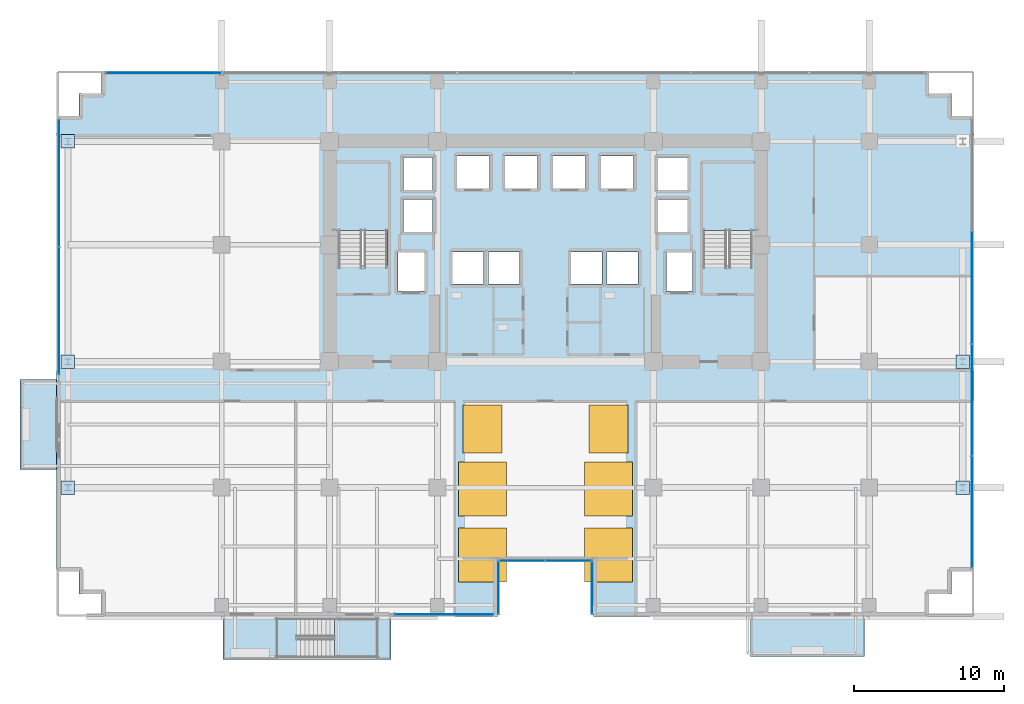
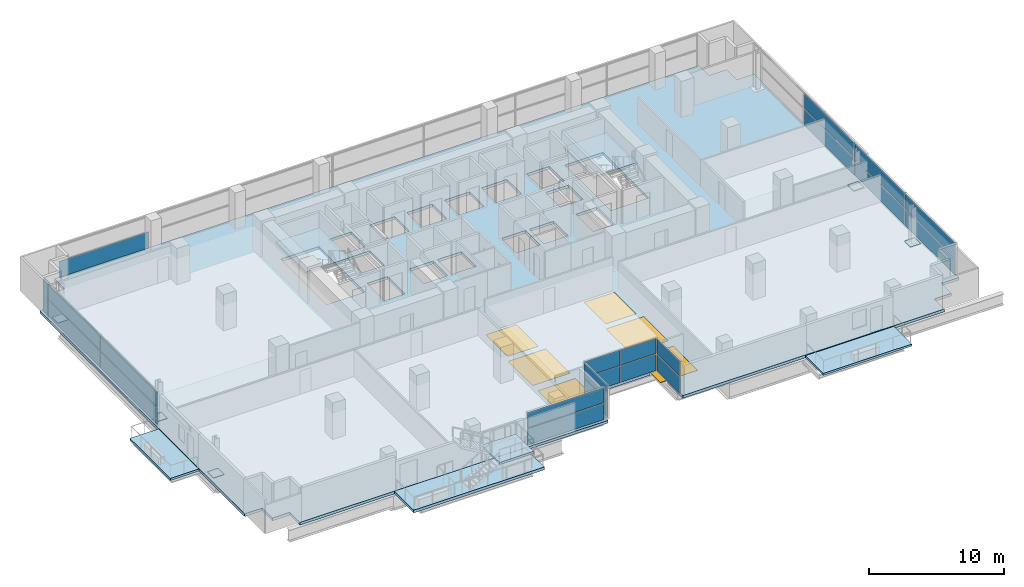
# One storey, part 23 of 32: 26 plates, 7 slabs, 6 windows, 6 openings, 10 elements without a shape of their own.
"""IFC4 building model written with IfcOpenShell, lengths in metres."""

import ifcopenshell
import ifcopenshell.guid

model = None  # the IFC model being written
_history = None  # IfcOwnerHistory: only IFC2X3 demands one
_inside = {}  # id of a spatial element -> (the spatial element, [elements in it])
_under = {}  # id of a project, library or spatial element -> (it, [spatial elements below it])
_declared = {}  # id of a project -> (the project, [libraries it declares])
_typed = {}  # id of a type object -> (the type object, [elements of that type])
_made_of = {}  # id of a material, layer set ... -> (it, [elements and type objects made of it])


def new_model(schema):
    """Start an empty IFC model of exactly this schema.

    Asked for "IFC4X3", IfcOpenShell would pick the latest addendum, in which some entities
    have other attributes; the version numbers below select the first issue.
    IFC2X3 requires an IfcOwnerHistory on every rooted entity: one is made here for all.
    """
    global model, _history
    if schema == "IFC4X3":
        model = ifcopenshell.file(schema_version=(4, 3, 0, 0))
    else:
        model = ifcopenshell.file(schema=schema)
    _inside.clear()
    _under.clear()
    _declared.clear()
    _typed.clear()
    _made_of.clear()
    _history = None
    if model.schema == "IFC2X3":
        org = make("IfcOrganization", Name="unknown")
        user = make(
            "IfcPersonAndOrganization",
            ThePerson=make("IfcPerson", FamilyName="unknown"),
            TheOrganization=org,
        )
        app = make(
            "IfcApplication",
            ApplicationDeveloper=org,
            Version="unknown",
            ApplicationFullName="unknown",
            ApplicationIdentifier="unknown",
        )
        _history = make(
            "IfcOwnerHistory",
            OwningUser=user,
            OwningApplication=app,
            ChangeAction="ADDED",
            CreationDate=0,
        )
    return model


def make(cls, **values):
    """One entity of the class cls with the attributes given. An attribute that is None is left unset."""
    return model.create_entity(
        cls, **{name: value for name, value in values.items() if value is not None}
    )


def rooted(cls, **values):
    """An entity with a GlobalId (a new one), such as an element, a storey or a relation."""
    return make(cls, GlobalId=ifcopenshell.guid.new(), OwnerHistory=_history, **values)


def si_unit(unit_type, name, prefix=None):
    """IfcSIUnit, for example si_unit("LENGTHUNIT", "METRE", prefix="MILLI")."""
    return make("IfcSIUnit", UnitType=unit_type, Prefix=prefix, Name=name)


def assignment(units):
    """IfcUnitAssignment: the units of a project."""
    return None if units is None else make("IfcUnitAssignment", Units=units)


def point(xyz):
    """IfcCartesianPoint."""
    return None if xyz is None else make("IfcCartesianPoint", Coordinates=xyz)


def direction(xyz):
    """IfcDirection."""
    return None if xyz is None else make("IfcDirection", DirectionRatios=xyz)


def frame(location, z_axis=None, x_axis=None):
    """IfcAxis2Placement3D, a coordinate frame: its origin and axes. An axis left out is left unset."""
    return make(
        "IfcAxis2Placement3D",
        Location=point(location),
        Axis=direction(z_axis),
        RefDirection=direction(x_axis),
    )


def frame_2d(location, x_axis=None):
    """IfcAxis2Placement2D, a coordinate frame in the plane: its origin and x axis."""
    return make(
        "IfcAxis2Placement2D", Location=point(location), RefDirection=direction(x_axis)
    )


def origin():
    """The frame at (0, 0, 0) with its axes left unset."""
    return frame((0.0, 0.0, 0.0))


def origin_2d():
    """The frame at (0, 0) in the plane with its x axis left unset."""
    return frame_2d((0.0, 0.0))


def place(relative_to, where):
    """IfcLocalPlacement: puts the frame where relative to a parent placement (None: the world)."""
    return make(
        "IfcLocalPlacement", PlacementRelTo=relative_to, RelativePlacement=where
    )


def context(
    kind, dimensions, precision=None, world=None, true_north=None, identifier=None
):
    """IfcGeometricRepresentationContext, for example the 3D "Model" context."""
    return make(
        "IfcGeometricRepresentationContext",
        ContextIdentifier=identifier,
        ContextType=kind,
        CoordinateSpaceDimension=dimensions,
        Precision=precision,
        WorldCoordinateSystem=world,
        TrueNorth=true_north,
    )


def subcontext(parent, identifier, kind, view, scale=None):
    """IfcGeometricRepresentationSubContext, for example "Body" below "Model"."""
    return make(
        "IfcGeometricRepresentationSubContext",
        ContextIdentifier=identifier,
        ContextType=kind,
        ParentContext=parent,
        TargetScale=scale,
        TargetView=view,
    )


def project(units=None, contexts=None):
    """IfcProject with its units and contexts."""
    return rooted(
        "IfcProject",
        Name="project",
        RepresentationContexts=contexts,
        UnitsInContext=assignment(units),
    )


def spatial(cls, under=None, at=None, **own):
    """A site, building, storey or space (cls), placed at a placement, below another one or the project."""
    s = rooted(cls, ObjectPlacement=at, **own)
    if under is not None:
        _under.setdefault(under.id(), (under, []))[1].append(s)
    return s


def polyline(points):
    """IfcPolyline through the points."""
    return make("IfcPolyline", Points=[point(p) for p in points])


def profile(cls, at=None, kind="AREA", **sizes):
    """A parametric profile (cls). Its sizes go by their IFC names, for example OverallWidth=200.0."""
    return make(cls, ProfileType=kind, Position=at, **sizes)


def rectangle(**sizes):
    """IfcRectangleProfileDef."""
    return profile("IfcRectangleProfileDef", **sizes)


def outline(outer, holes=None, kind="AREA"):
    """IfcArbitraryClosedProfileDef: a profile drawn as a closed curve; with holes, ...WithVoids."""
    if holes is None:
        return make("IfcArbitraryClosedProfileDef", ProfileType=kind, OuterCurve=outer)
    return make(
        "IfcArbitraryProfileDefWithVoids",
        ProfileType=kind,
        OuterCurve=outer,
        InnerCurves=holes,
    )


def extrude(swept, where, along, depth):
    """IfcExtrudedAreaSolid: the profile swept, set in the frame where, extruded along a direction by depth."""
    return make(
        "IfcExtrudedAreaSolid",
        SweptArea=swept,
        Position=where,
        ExtrudedDirection=direction(along),
        Depth=depth,
    )


def shape(context_of_items, identifier, shape_type, items):
    """IfcShapeRepresentation: the items that make up one representation, for example the "Body"."""
    return make(
        "IfcShapeRepresentation",
        ContextOfItems=context_of_items,
        RepresentationIdentifier=identifier,
        RepresentationType=shape_type,
        Items=items,
    )


def source(mapping_origin, context_of_items, identifier, shape_type, items):
    """IfcRepresentationMap: a shape defined once, which mapped items show again and again."""
    return make(
        "IfcRepresentationMap",
        MappingOrigin=mapping_origin,
        MappedRepresentation=shape(context_of_items, identifier, shape_type, items),
    )


def transform(
    local_origin,
    x_axis=None,
    y_axis=None,
    z_axis=None,
    scale=None,
    scale2=None,
    scale3=None,
    uniform=True,
):
    """IfcCartesianTransformationOperator3D, or its non-uniform kind. x_axis, y_axis, z_axis: its Axis1, 2, 3."""
    if uniform:
        return make(
            "IfcCartesianTransformationOperator3D",
            Axis1=direction(x_axis),
            Axis2=direction(y_axis),
            LocalOrigin=point(local_origin),
            Scale=scale,
            Axis3=direction(z_axis),
        )
    return make(
        "IfcCartesianTransformationOperator3DnonUniform",
        Axis1=direction(x_axis),
        Axis2=direction(y_axis),
        LocalOrigin=point(local_origin),
        Scale=scale,
        Axis3=direction(z_axis),
        Scale2=scale2,
        Scale3=scale3,
    )


def mapped(mapping_source, mapping_target):
    """IfcMappedItem: shows the shape of a source again, moved by a transform."""
    return make(
        "IfcMappedItem", MappingSource=mapping_source, MappingTarget=mapping_target
    )


def material(Name=None, Category=None):
    """IfcMaterial."""
    return make("IfcMaterial", Name=Name, Category=Category)


def layer(
    of_material, thickness, ventilated=None, Name=None, Category=None, Priority=None
):
    """IfcMaterialLayer: one layer of a wall or slab, of a material (None: an air gap)."""
    return make(
        "IfcMaterialLayer",
        Material=of_material,
        LayerThickness=thickness,
        IsVentilated=ventilated,
        Name=Name,
        Category=Category,
        Priority=Priority,
    )


def layer_set(layers, Name=None):
    """IfcMaterialLayerSet."""
    return make("IfcMaterialLayerSet", MaterialLayers=layers, LayerSetName=Name)


def made_of(thing, what):
    """Note that an element or type object is made of a material, layer set ...; save() writes the relation."""
    if what is not None:
        _made_of.setdefault(what.id(), (what, []))[1].append(thing)
    return thing


def type_object(cls, material=None, **own):
    """A type object (cls), such as IfcWallType, which elements share."""
    return made_of(rooted(cls, **own), material)


def element(
    cls,
    number,
    at=None,
    inside=None,
    cuts=None,
    type_object=None,
    material=None,
    context=None,
    identifier="Body",
    shape_type=None,
    held_by="IfcProductDefinitionShape",
    body=None,
    shapes=None,
    **own,
):
    """One element of the class cls, such as IfcWall. Its Tag is "e" and its number.

    at: its placement. inside: the storey or other place that contains it. cuts: it is an
    opening in that element (IfcRelVoidsElement). A single representation is given by context,
    identifier, shape_type and body (its items); several are given by shapes. held_by: the class
    of the entity that holds the representations. save() writes the other relations.
    """
    e = rooted(cls, Tag="e%d" % number, ObjectPlacement=at, **own)
    if body is not None:
        shapes = [shape(context, identifier, shape_type, body)]
    if shapes is not None:
        e.Representation = make(held_by, Representations=shapes)
    if inside is not None:
        _inside.setdefault(inside.id(), (inside, []))[1].append(e)
    if cuts is not None:
        rooted(
            "IfcRelVoidsElement", RelatingBuildingElement=cuts, RelatedOpeningElement=e
        )
    if type_object is not None:
        _typed.setdefault(type_object.id(), (type_object, []))[1].append(e)
    return made_of(e, material)


def fill(opening, filler):
    """IfcRelFillsElement: the door or window that sits in an opening."""
    return rooted(
        "IfcRelFillsElement",
        RelatingOpeningElement=opening,
        RelatedBuildingElement=filler,
    )


def aggregate(whole, parts):
    """IfcRelAggregates: a whole, such as a stair, and the parts it consists of."""
    return rooted("IfcRelAggregates", RelatingObject=whole, RelatedObjects=parts)


def save(model, path):
    """Write the relations noted so far, then the file.

    IfcRelAggregates (storeys below a building ...), IfcRelContainedInSpatialStructure (elements
    in a storey), IfcRelDefinesByType, IfcRelAssociatesMaterial and IfcRelDeclares: one each for
    every whole, place, type object, material and project.
    """
    for whole, parts in _under.values():
        aggregate(whole, parts)
    for where, things in _inside.values():
        rooted(
            "IfcRelContainedInSpatialStructure",
            RelatedElements=things,
            RelatingStructure=where,
        )
    for kind, things in _typed.values():
        rooted("IfcRelDefinesByType", RelatedObjects=things, RelatingType=kind)
    for what, things in _made_of.values():
        rooted("IfcRelAssociatesMaterial", RelatedObjects=things, RelatingMaterial=what)
    for by, libraries in _declared.values():
        rooted("IfcRelDeclares", RelatingContext=by, RelatedDefinitions=libraries)
    model.write(path)


model = new_model("IFC4")

# Units and contexts
model_context = context("Model", 3, precision=1e-05, world=origin(), true_north=direction((0.0, 1.0)))
body_context = subcontext(model_context, "Body", "Model", "MODEL_VIEW")
ifc_project = project(units=[si_unit("LENGTHUNIT", "METRE"), si_unit("AREAUNIT", "SQUARE_METRE"), si_unit("VOLUMEUNIT", "CUBIC_METRE"), si_unit("PLANEANGLEUNIT", "RADIAN"), si_unit("MASSUNIT", "GRAM", prefix="KILO")], contexts=[model_context])

# Site, building, storey
site_placement = place(None, origin())
site = spatial("IfcSite", under=ifc_project, at=site_placement, CompositionType="ELEMENT")
building_placement = place(site_placement, origin())
building = spatial("IfcBuilding", under=site, at=building_placement, Name="Zarnakvel Exchange Tower", CompositionType="ELEMENT")
storey_placement = place(building_placement, frame((0.0, 0.0, 27.39990234375)))
storey = spatial("IfcBuildingStorey", under=building, at=storey_placement, Name="L06", CompositionType="ELEMENT", Elevation=27.39990234375)

# Stair, slab
ifc_material_1 = material(Name="Concrete C40/50", Category="concrete")
stair_type_1 = type_object("IfcStairType", Name="STR-01", PredefinedType="HALF_TURN_STAIR", material=ifc_material_1)
stair_1_placement = place(storey_placement, origin())
stair_1 = element("IfcStair", 1, at=stair_1_placement, inside=storey, type_object=stair_type_1, Name="L06 Protected Core Exit Stair ST-01", PredefinedType="HALF_TURN_STAIR")
ifc_layer_1 = layer(ifc_material_1, 0.199951171875)
ifc_layer_set_1 = layer_set([ifc_layer_1], Name="Concrete C40/50")
slab_type_1 = type_object("IfcSlabType", Name="LDG-01", PredefinedType="LANDING", material=ifc_layer_set_1)
slab_1_placement = place(storey_placement, frame((0.0, 0.0, 1.4501953125)))
slab_1 = element("IfcSlab", 2, at=slab_1_placement, type_object=slab_type_1, Name="ST-01 landing 1", PredefinedType="LANDING", context=body_context, shape_type="SweptSolid", body=[
    extrude(outline(polyline([(-14.18994140625, 7.570068359375), (-10.4599609375, 7.570068359375), (-10.4599609375, 12.080078125), (-14.18994140625, 12.080078125), (-14.18994140625, 7.570068359375)])), origin(), (0.0, 0.0, 1.0), 0.199951171875),
])
aggregate(stair_1, [slab_1])

stair_2_placement = place(storey_placement, origin())
stair_2 = element("IfcStair", 3, at=stair_2_placement, inside=storey, type_object=stair_type_1, Name="L06 Protected Core Exit Stair ST-02", PredefinedType="HALF_TURN_STAIR")
slab_2_placement = place(storey_placement, frame((0.0, 0.0, 1.4501953125)))
slab_2 = element("IfcSlab", 4, at=slab_2_placement, type_object=slab_type_1, Name="ST-02 landing 1", PredefinedType="LANDING", context=body_context, shape_type="SweptSolid", body=[
    extrude(outline(polyline([(10.4599609375, 7.570068359375), (14.18994140625, 7.570068359375), (14.18994140625, 12.080078125), (10.4599609375, 12.080078125), (10.4599609375, 7.570068359375)])), origin(), (0.0, 0.0, 1.0), 0.199951171875),
])
aggregate(stair_2, [slab_2])

stair_type_2 = type_object("IfcStairType", Name="STR-05", PredefinedType="HALF_TURN_STAIR", material=ifc_material_1)
stair_3_placement = place(storey_placement, origin())
stair_3 = element("IfcStair", 5, at=stair_3_placement, inside=storey, type_object=stair_type_2, Name="L06 Spiral Sky-Terrace Connecting Stair ST-07", PredefinedType="HALF_TURN_STAIR")
slab_3_placement = place(storey_placement, frame((0.0, 0.0, 1.4501953125)))
slab_3 = element("IfcSlab", 6, at=slab_3_placement, type_object=slab_type_1, Name="ST-07 landing 1", PredefinedType="LANDING", context=body_context, shape_type="SweptSolid", body=[
    extrude(outline(polyline([(-14.080078125, -20.93994140625), (-11.14990234375, -20.93994140625), (-11.14990234375, -18.320068359375), (-14.080078125, -18.320068359375), (-14.080078125, -20.93994140625)])), origin(), (0.0, 0.0, 1.0), 0.199951171875),
])
aggregate(stair_3, [slab_3])

# Slab, openings, windows
ifc_layer_2 = layer(ifc_material_1, 0.25)
ifc_layer_set_2 = layer_set([ifc_layer_2], Name="Concrete C40/50")
slab_type_2 = type_object("IfcSlabType", Name="SL-03", PredefinedType="FLOOR", material=ifc_layer_set_2)
slab_4_placement = place(storey_placement, frame((0.0, 0.0, -0.25)))
slab_4 = element("IfcSlab", 7, at=slab_4_placement, inside=storey, type_object=slab_type_2, Name="L06 Primary Structural Floor Slab", PredefinedType="FLOOR", context=body_context, shape_type="SweptSolid", body=[
    extrude(outline(polyline([(-32.60009765625, -15.199951171875), (-31.10009765625, -15.199951171875), (-31.10009765625, -16.699951171875), (-29.60009765625, -16.699951171875), (-29.60009765625, -18.199951171875), (-3.199951171875, -18.199951171875), (-3.199951171875, -14.39990234375), (3.199951171875, -14.39990234375), (3.199951171875, -18.199951171875), (25.60009765625, -18.199951171875), (25.60009765625, -16.699951171875), (27.10009765625, -16.699951171875), (27.10009765625, -15.199951171875), (28.60009765625, -15.199951171875), (28.60009765625, 15.199951171875), (27.10009765625, 15.199951171875), (27.10009765625, 16.699951171875), (25.60009765625, 16.699951171875), (25.60009765625, 18.199951171875), (-29.60009765625, 18.199951171875), (-29.60009765625, 16.699951171875), (-31.10009765625, 16.699951171875), (-31.10009765625, 15.199951171875), (-32.60009765625, 15.199951171875), (-32.60009765625, -15.199951171875)]), holes=[polyline([(-13.800048828125, 5.2099609375), (-10.5400390625, 5.2099609375), (-10.5400390625, 12.0), (-13.800048828125, 12.0), (-13.800048828125, 5.2099609375)]), polyline([(10.5400390625, 5.2099609375), (13.800048828125, 5.2099609375), (13.800048828125, 12.0), (10.5400390625, 12.0), (10.5400390625, 5.2099609375)]), polyline([(-9.830078125, 3.52001953125), (-8.070068359375, 3.52001953125), (-8.070068359375, 6.080078125), (-9.830078125, 6.080078125), (-9.830078125, 3.52001953125)]), polyline([(8.070068359375, 3.52001953125), (9.830078125, 3.52001953125), (9.830078125, 6.080078125), (8.070068359375, 6.080078125), (8.070068359375, 3.52001953125)]), polyline([(-5.8798828125, 10.3701171875), (-3.719970703125, 10.3701171875), (-3.719970703125, 12.530029296875), (-5.8798828125, 12.530029296875), (-5.8798828125, 10.3701171875)]), polyline([(-2.679931640625, 10.3701171875), (-0.52001953125, 10.3701171875), (-0.52001953125, 12.530029296875), (-2.679931640625, 12.530029296875), (-2.679931640625, 10.3701171875)]), polyline([(0.52001953125, 10.3701171875), (2.679931640625, 10.3701171875), (2.679931640625, 12.530029296875), (0.52001953125, 12.530029296875), (0.52001953125, 10.3701171875)]), polyline([(3.719970703125, 10.3701171875), (5.8798828125, 10.3701171875), (5.8798828125, 12.530029296875), (3.719970703125, 12.530029296875), (3.719970703125, 10.3701171875)]), polyline([(-6.179931640625, 3.969970703125), (-4.1201171875, 3.969970703125), (-4.1201171875, 6.1298828125), (-6.179931640625, 6.1298828125), (-6.179931640625, 3.969970703125)]), polyline([(-3.780029296875, 3.969970703125), (-1.719970703125, 3.969970703125), (-1.719970703125, 6.1298828125), (-3.780029296875, 6.1298828125), (-3.780029296875, 3.969970703125)]), polyline([(1.719970703125, 3.969970703125), (3.780029296875, 3.969970703125), (3.780029296875, 6.1298828125), (1.719970703125, 6.1298828125), (1.719970703125, 3.969970703125)]), polyline([(4.1201171875, 3.969970703125), (6.179931640625, 3.969970703125), (6.179931640625, 6.1298828125), (4.1201171875, 6.1298828125), (4.1201171875, 3.969970703125)]), polyline([(-9.47998046875, 7.469970703125), (-7.52001953125, 7.469970703125), (-7.52001953125, 9.6298828125), (-9.47998046875, 9.6298828125), (-9.47998046875, 7.469970703125)]), polyline([(-9.47998046875, 10.27001953125), (-7.52001953125, 10.27001953125), (-7.52001953125, 12.429931640625), (-9.47998046875, 12.429931640625), (-9.47998046875, 10.27001953125)]), polyline([(7.52001953125, 7.469970703125), (9.47998046875, 7.469970703125), (9.47998046875, 9.6298828125), (7.52001953125, 9.6298828125), (7.52001953125, 7.469970703125)]), polyline([(7.52001953125, 10.27001953125), (9.47998046875, 10.27001953125), (9.47998046875, 12.429931640625), (7.52001953125, 12.429931640625), (7.52001953125, 10.27001953125)])]), origin(), (0.0, 0.0, 1.0), 0.25),
])
opening_1_placement = place(slab_4_placement, frame((-4.199951171875, -14.10009765625, 0.0)))
opening_1 = element("IfcOpeningElement", 8, at=opening_1_placement, cuts=slab_4, Name="Opening SK-01", PredefinedType="OPENING", context=body_context, shape_type="SweptSolid", body=[
    extrude(rectangle(XDim=3.199951171875, YDim=3.60009765625, at=origin_2d()), origin(), (0.0, 0.0, 1.0), 0.27001953125),
])
opening_2_placement = place(slab_4_placement, frame((4.199951171875, -14.10009765625, 0.0)))
opening_2 = element("IfcOpeningElement", 9, at=opening_2_placement, cuts=slab_4, Name="Opening SK-01", PredefinedType="OPENING", context=body_context, shape_type="SweptSolid", body=[
    extrude(rectangle(XDim=3.199951171875, YDim=3.60009765625, at=origin_2d()), origin(), (0.0, 0.0, 1.0), 0.27001953125),
])
opening_3_placement = place(slab_4_placement, frame((-4.199951171875, -9.699951171875, 0.0)))
opening_3 = element("IfcOpeningElement", 10, at=opening_3_placement, cuts=slab_4, Name="Opening SK-01", PredefinedType="OPENING", context=body_context, shape_type="SweptSolid", body=[
    extrude(rectangle(XDim=3.199951171875, YDim=3.60009765625, at=origin_2d()), origin(), (0.0, 0.0, 1.0), 0.27001953125),
])
opening_4_placement = place(slab_4_placement, frame((4.199951171875, -9.699951171875, 0.0)))
opening_4 = element("IfcOpeningElement", 11, at=opening_4_placement, cuts=slab_4, Name="Opening SK-01", PredefinedType="OPENING", context=body_context, shape_type="SweptSolid", body=[
    extrude(rectangle(XDim=3.199951171875, YDim=3.60009765625, at=origin_2d()), origin(), (0.0, 0.0, 1.0), 0.27001953125),
])
opening_5_placement = place(slab_4_placement, frame((-4.199951171875, -5.699951171875, 0.0)))
opening_5 = element("IfcOpeningElement", 12, at=opening_5_placement, cuts=slab_4, Name="Opening SK-02", PredefinedType="OPENING", context=body_context, shape_type="SweptSolid", body=[
    extrude(rectangle(XDim=2.60009765625, YDim=3.199951171875, at=origin_2d()), origin(), (0.0, 0.0, 1.0), 0.27001953125),
])
opening_6_placement = place(slab_4_placement, frame((4.199951171875, -5.699951171875, 0.0)))
opening_6 = element("IfcOpeningElement", 13, at=opening_6_placement, cuts=slab_4, Name="Opening SK-02", PredefinedType="OPENING", context=body_context, shape_type="SweptSolid", body=[
    extrude(rectangle(XDim=2.60009765625, YDim=3.199951171875, at=origin_2d()), origin(), (0.0, 0.0, 1.0), 0.27001953125),
])
ifc_material_2 = material(Name="Double Low-E Laminated Vision Glass", Category="glass")
window_type_1 = type_object("IfcWindowType", Name="SK-01", PartitioningType="SINGLE_PANEL", PredefinedType="SKYLIGHT", material=ifc_material_2)
window_1_placement = place(opening_1_placement, frame((0.0, 0.0, 0.199951171875)))
window_1 = element("IfcWindow", 14, at=window_1_placement, inside=storey, type_object=window_type_1, Name="L06 Podium Atrium Roof Skylight #1 (SK-01)", OverallHeight=3.60009765625, OverallWidth=3.199951171875, PartitioningType="SINGLE_PANEL", PredefinedType="SKYLIGHT", context=body_context, shape_type="SweptSolid", body=[
    extrude(rectangle(XDim=3.199951171875, YDim=3.60009765625, at=origin_2d()), origin(), (0.0, 0.0, 1.0), 0.050048828125),
])
fill(opening_1, window_1)
window_2_placement = place(opening_2_placement, frame((0.0, 0.0, 0.199951171875)))
window_2 = element("IfcWindow", 15, at=window_2_placement, inside=storey, type_object=window_type_1, Name="L06 Podium Atrium Roof Skylight #2 (SK-01)", OverallHeight=3.60009765625, OverallWidth=3.199951171875, PartitioningType="SINGLE_PANEL", PredefinedType="SKYLIGHT", context=body_context, shape_type="SweptSolid", body=[
    extrude(rectangle(XDim=3.199951171875, YDim=3.60009765625, at=origin_2d()), origin(), (0.0, 0.0, 1.0), 0.050048828125),
])
fill(opening_2, window_2)
window_3_placement = place(opening_3_placement, frame((0.0, 0.0, 0.199951171875)))
window_3 = element("IfcWindow", 16, at=window_3_placement, inside=storey, type_object=window_type_1, Name="L06 Podium Atrium Roof Skylight #3 (SK-01)", OverallHeight=3.60009765625, OverallWidth=3.199951171875, PartitioningType="SINGLE_PANEL", PredefinedType="SKYLIGHT", context=body_context, shape_type="SweptSolid", body=[
    extrude(rectangle(XDim=3.199951171875, YDim=3.60009765625, at=origin_2d()), origin(), (0.0, 0.0, 1.0), 0.050048828125),
])
fill(opening_3, window_3)
window_4_placement = place(opening_4_placement, frame((0.0, 0.0, 0.199951171875)))
window_4 = element("IfcWindow", 17, at=window_4_placement, inside=storey, type_object=window_type_1, Name="L06 Podium Atrium Roof Skylight #4 (SK-01)", OverallHeight=3.60009765625, OverallWidth=3.199951171875, PartitioningType="SINGLE_PANEL", PredefinedType="SKYLIGHT", context=body_context, shape_type="SweptSolid", body=[
    extrude(rectangle(XDim=3.199951171875, YDim=3.60009765625, at=origin_2d()), origin(), (0.0, 0.0, 1.0), 0.050048828125),
])
fill(opening_4, window_4)
window_type_2 = type_object("IfcWindowType", Name="SK-02", PartitioningType="SINGLE_PANEL", PredefinedType="SKYLIGHT", material=ifc_material_2)
window_5_placement = place(opening_5_placement, frame((0.0, 0.0, 0.199951171875)))
window_5 = element("IfcWindow", 18, at=window_5_placement, inside=storey, type_object=window_type_2, Name="L06 Podium Atrium Roof Skylight #5 (SK-02)", OverallHeight=3.199951171875, OverallWidth=2.60009765625, PartitioningType="SINGLE_PANEL", PredefinedType="SKYLIGHT", context=body_context, shape_type="SweptSolid", body=[
    extrude(rectangle(XDim=2.60009765625, YDim=3.199951171875, at=origin_2d()), origin(), (0.0, 0.0, 1.0), 0.050048828125),
])
fill(opening_5, window_5)
window_6_placement = place(opening_6_placement, frame((0.0, 0.0, 0.199951171875)))
window_6 = element("IfcWindow", 19, at=window_6_placement, inside=storey, type_object=window_type_2, Name="L06 Podium Atrium Roof Skylight #6 (SK-02)", OverallHeight=3.199951171875, OverallWidth=2.60009765625, PartitioningType="SINGLE_PANEL", PredefinedType="SKYLIGHT", context=body_context, shape_type="SweptSolid", body=[
    extrude(rectangle(XDim=2.60009765625, YDim=3.199951171875, at=origin_2d()), origin(), (0.0, 0.0, 1.0), 0.050048828125),
])
fill(opening_6, window_6)

# Slabs
ifc_layer_3 = layer(ifc_material_1, 0.25)
ifc_layer_set_3 = layer_set([ifc_layer_3], Name="Concrete C40/50")
slab_type_3 = type_object("IfcSlabType", Name="SL-07", PredefinedType="ROOF", material=ifc_layer_set_3)
slab_5_placement = place(storey_placement, frame((0.0, 0.0, -0.25)))
element("IfcSlab", 20, at=slab_5_placement, inside=storey, type_object=slab_type_3, Name="L06 Spiral Sky-Terrace Outdoor Slab (SW)", PredefinedType="ROOF", context=body_context, shape_type="SweptSolid", body=[
    extrude(outline(polyline([(-21.5, -21.06005859375), (-10.300048828125, -21.06005859375), (-10.300048828125, -18.199951171875), (-21.5, -18.199951171875), (-21.5, -21.06005859375)])), origin(), (0.0, 0.0, 1.0), 0.25),
])
ifc_layer_4 = layer(ifc_material_1, 0.18994140625)
ifc_layer_set_4 = layer_set([ifc_layer_4], Name="Concrete C40/50")
slab_type_4 = type_object("IfcSlabType", Name="SL-08", PredefinedType="USERDEFINED", material=ifc_layer_set_4)
slab_6_placement = place(storey_placement, frame((0.0, 0.0, -0.25)))
element("IfcSlab", 21, at=slab_6_placement, inside=storey, type_object=slab_type_4, Name="L06 Planted Loggia Balcony Slab BAL-L06-SE", ObjectType="BALCONY", PredefinedType="USERDEFINED", context=body_context, shape_type="SweptSolid", body=[
    extrude(outline(polyline([(13.699951171875, -20.85009765625), (21.300048828125, -20.85009765625), (21.300048828125, -18.199951171875), (13.699951171875, -18.199951171875), (13.699951171875, -20.85009765625)])), origin(), (0.0, 0.0, 1.0), 0.190185546875),
])
slab_7_placement = place(storey_placement, frame((0.0, 0.0, -0.25)))
element("IfcSlab", 22, at=slab_7_placement, inside=storey, type_object=slab_type_4, Name="L06 Planted Loggia Balcony Slab BAL-L06-W", ObjectType="BALCONY", PredefinedType="USERDEFINED", context=body_context, shape_type="SweptSolid", body=[
    extrude(outline(polyline([(-35.050048828125, -8.39990234375), (-32.60009765625, -8.39990234375), (-32.60009765625, -2.39990234375), (-35.050048828125, -2.39990234375), (-35.050048828125, -8.39990234375)])), origin(), (0.0, 0.0, 1.0), 0.190185546875),
])

# Plates
ifc_material_3 = material(Name="Steel S355", Category="steel")
ifc_layer_5 = layer(ifc_material_3, 0.0380859375)
ifc_layer_set_5 = layer_set([ifc_layer_5], Name="Steel S355")
plate_type_1 = type_object("IfcPlateType", Name="BP-03", PredefinedType="USERDEFINED", material=ifc_layer_set_5)
shared_shape_1 = source(origin(), body_context, "Body", "SweptSolid", [
    extrude(rectangle(XDim=0.89990234375, YDim=0.89990234375, at=origin_2d()), origin(), (0.0, 0.0, 1.0), 0.0380859375),
])
for number, where, z_axis, x_axis, name in (
    (23, (-31.85009765625, -9.60009765625, 0.0), (0.0, 0.0, 1.0), (1.0, 0.0, 0.0), "L06 Column Base Plate TW-C"),
    (24, (27.85009765625, -9.60009765625, 0.0), (0.0, 0.0, 1.0), (1.0, 0.0, 0.0), "L06 Column Base Plate TE-C"),
    (25, (-31.85009765625, -1.199951171875, 0.0), (0.0, 0.0, 1.0), (1.0, 0.0, 0.0), "L06 Column Base Plate TW-D"),
    (26, (27.85009765625, -1.199951171875, 0.0), (0.0, 0.0, 1.0), (1.0, 0.0, 0.0), "L06 Column Base Plate TE-D"),
    (27, (-31.85009765625, 13.5, 0.0), (0.0, 0.0, 1.0), (1.0, 0.0, 0.0), "L06 Column Base Plate TW-F"),
):
    element("IfcPlate", number, at=place(storey_placement, frame(where, z_axis=z_axis, x_axis=x_axis)), inside=storey, type_object=plate_type_1, Name=name, ObjectType="BASE_PLATE", PredefinedType="USERDEFINED", context=body_context, shape_type="MappedRepresentation", body=[
        mapped(shared_shape_1, transform((0.0, 0.0, 0.0), x_axis=(1.0, 0.0, 0.0), y_axis=(0.0, 1.0, 0.0), z_axis=(0.0, 0.0, 1.0), scale=1.0)),
    ])

# Curtain wall, plate
ifc_material_4 = material(Name="Architectural Bronze Anodised Aluminium", Category="aluminium")
ifc_layer_6 = layer(ifc_material_4, 0.179931640625)
ifc_layer_set_6 = layer_set([ifc_layer_6], Name="Architectural Bronze Anodised Aluminium")
curtain_wall_type_1 = type_object("IfcCurtainWallType", Name="CW-05", PredefinedType="NOTDEFINED", material=ifc_layer_set_6)
curtain_wall_1_placement = place(storey_placement, origin())
curtain_wall_1 = element("IfcCurtainWall", 28, at=curtain_wall_1_placement, inside=storey, type_object=curtain_wall_type_1, Name="L06 Curtain Wall CW-L06-SLW (CW-05)", PredefinedType="NOTDEFINED")
ifc_layer_7 = layer(ifc_material_2, 0.02587890625)
ifc_layer_set_7 = layer_set([ifc_layer_7], Name="Double Low-E Laminated Vision Glass")
plate_type_2 = type_object("IfcPlateType", Name="CWP-05", PredefinedType="CURTAIN_PANEL", material=ifc_layer_set_7)
shared_shape_2 = source(origin(), body_context, "Body", "SweptSolid", [
    extrude(rectangle(XDim=3.4599609375, YDim=0.02587890625, at=origin_2d()), origin(), (0.0, 0.0, 1.0), 1.483642578125),
])
plate_1_placement = place(storey_placement, frame((-3.1201171875, -16.280029296875, 0.0703125), z_axis=(0.0, 0.0, 1.0), x_axis=(0.0, 1.0, 0.0)))
plate_1 = element("IfcPlate", 29, at=plate_1_placement, type_object=plate_type_2, Name="CW-05 panel 1.1", PredefinedType="CURTAIN_PANEL", context=body_context, shape_type="MappedRepresentation", body=[
    mapped(shared_shape_2, transform((0.0, 0.0, 0.0), x_axis=(1.0, 0.0, 0.0), y_axis=(0.0, 1.0, 0.0), z_axis=(0.0, 0.0, 1.0), scale=1.0)),
])

curtain_wall_2_placement = place(storey_placement, origin())
curtain_wall_2 = element("IfcCurtainWall", 30, at=curtain_wall_2_placement, inside=storey, type_object=curtain_wall_type_1, Name="L06 Curtain Wall CW-L06-SLE (CW-05)", PredefinedType="NOTDEFINED")
plate_2_placement = place(storey_placement, frame((3.1201171875, -16.280029296875, 0.0703125), z_axis=(0.0, 0.0, 1.0), x_axis=(0.0, -1.0, 0.0)))
plate_2 = element("IfcPlate", 31, at=plate_2_placement, type_object=plate_type_2, Name="CW-05 panel 1.1", PredefinedType="CURTAIN_PANEL", context=body_context, shape_type="MappedRepresentation", body=[
    mapped(shared_shape_2, transform((0.0, 0.0, 0.0), x_axis=(1.0, 0.0, 0.0), y_axis=(0.0, 1.0, 0.0), z_axis=(0.0, 0.0, 1.0), scale=1.0)),
])

# Plate
shared_shape_3 = source(origin(), body_context, "Body", "SweptSolid", [
    extrude(rectangle(XDim=3.4599609375, YDim=0.02587890625, at=origin_2d()), origin(), (0.0, 0.0, 1.0), 1.361328125),
])
plate_3_placement = place(storey_placement, frame((-3.1201171875, -16.280029296875, 1.623779296875), z_axis=(0.0, 0.0, 1.0), x_axis=(0.0, 1.0, 0.0)))
plate_3 = element("IfcPlate", 32, at=plate_3_placement, type_object=plate_type_2, Name="CW-05 panel 1.2", PredefinedType="CURTAIN_PANEL", context=body_context, shape_type="MappedRepresentation", body=[
    mapped(shared_shape_3, transform((0.0, 0.0, 0.0), x_axis=(1.0, 0.0, 0.0), y_axis=(0.0, 1.0, 0.0), z_axis=(0.0, 0.0, 1.0), scale=1.0)),
])

aggregate(curtain_wall_1, [plate_1, plate_3])

plate_4_placement = place(storey_placement, frame((3.1201171875, -16.280029296875, 1.623779296875), z_axis=(0.0, 0.0, 1.0), x_axis=(0.0, -1.0, 0.0)))
plate_4 = element("IfcPlate", 33, at=plate_4_placement, type_object=plate_type_2, Name="CW-05 panel 1.2", PredefinedType="CURTAIN_PANEL", context=body_context, shape_type="MappedRepresentation", body=[
    mapped(shared_shape_3, transform((0.0, 0.0, 0.0), x_axis=(1.0, 0.0, 0.0), y_axis=(0.0, 1.0, 0.0), z_axis=(0.0, 0.0, 1.0), scale=1.0)),
])

aggregate(curtain_wall_2, [plate_2, plate_4])

# Curtain wall, plates
curtain_wall_3_placement = place(storey_placement, origin())
curtain_wall_3 = element("IfcCurtainWall", 34, at=curtain_wall_3_placement, inside=storey, type_object=curtain_wall_type_1, Name="L06 Curtain Wall CW-L06-SLB (CW-05)", PredefinedType="NOTDEFINED")
shared_shape_4 = source(origin(), body_context, "Body", "SweptSolid", [
    extrude(rectangle(XDim=3.014892578125, YDim=0.02587890625, at=origin_2d()), origin(), (0.0, 0.0, 1.0), 1.483642578125),
])
plate_5_placement = place(storey_placement, frame((-1.54248046875, -14.47998046875, 0.0703125), z_axis=(0.0, 0.0, 1.0), x_axis=(1.0, 0.0, 0.0)))
plate_5 = element("IfcPlate", 35, at=plate_5_placement, type_object=plate_type_2, Name="CW-05 panel 1.1", PredefinedType="CURTAIN_PANEL", context=body_context, shape_type="MappedRepresentation", body=[
    mapped(shared_shape_4, transform((0.0, 0.0, 0.0), x_axis=(1.0, 0.0, 0.0), y_axis=(0.0, 1.0, 0.0), z_axis=(0.0, 0.0, 1.0), scale=1.0)),
])
plate_6_placement = place(storey_placement, frame((1.54248046875, -14.47998046875, 0.0703125), z_axis=(0.0, 0.0, 1.0), x_axis=(1.0, 0.0, 0.0)))
plate_6 = element("IfcPlate", 36, at=plate_6_placement, type_object=plate_type_2, Name="CW-05 panel 2.1", PredefinedType="CURTAIN_PANEL", context=body_context, shape_type="MappedRepresentation", body=[
    mapped(shared_shape_4, transform((0.0, 0.0, 0.0), x_axis=(1.0, 0.0, 0.0), y_axis=(0.0, 1.0, 0.0), z_axis=(0.0, 0.0, 1.0), scale=1.0)),
])
shared_shape_5 = source(origin(), body_context, "Body", "SweptSolid", [
    extrude(rectangle(XDim=3.014892578125, YDim=0.02587890625, at=origin_2d()), origin(), (0.0, 0.0, 1.0), 1.361328125),
])
plate_7_placement = place(storey_placement, frame((-1.54248046875, -14.47998046875, 1.623779296875), z_axis=(0.0, 0.0, 1.0), x_axis=(1.0, 0.0, 0.0)))
plate_7 = element("IfcPlate", 37, at=plate_7_placement, type_object=plate_type_2, Name="CW-05 panel 1.2", PredefinedType="CURTAIN_PANEL", context=body_context, shape_type="MappedRepresentation", body=[
    mapped(shared_shape_5, transform((0.0, 0.0, 0.0), x_axis=(1.0, 0.0, 0.0), y_axis=(0.0, 1.0, 0.0), z_axis=(0.0, 0.0, 1.0), scale=1.0)),
])
plate_8_placement = place(storey_placement, frame((1.54248046875, -14.47998046875, 1.623779296875), z_axis=(0.0, 0.0, 1.0), x_axis=(1.0, 0.0, 0.0)))
plate_8 = element("IfcPlate", 38, at=plate_8_placement, type_object=plate_type_2, Name="CW-05 panel 2.2", PredefinedType="CURTAIN_PANEL", context=body_context, shape_type="MappedRepresentation", body=[
    mapped(shared_shape_5, transform((0.0, 0.0, 0.0), x_axis=(1.0, 0.0, 0.0), y_axis=(0.0, 1.0, 0.0), z_axis=(0.0, 0.0, 1.0), scale=1.0)),
])
aggregate(curtain_wall_3, [plate_5, plate_7, plate_6, plate_8])

# Curtain wall, plate
ifc_layer_8 = layer(ifc_material_4, 0.239990234375)
ifc_layer_set_8 = layer_set([ifc_layer_8], Name="Architectural Bronze Anodised Aluminium")
curtain_wall_type_2 = type_object("IfcCurtainWallType", Name="CW-02", PredefinedType="NOTDEFINED", material=ifc_layer_set_8)
curtain_wall_4_placement = place(storey_placement, origin())
curtain_wall_4 = element("IfcCurtainWall", 39, at=curtain_wall_4_placement, inside=storey, type_object=curtain_wall_type_2, Name="L06 Curtain Wall CW-L06-N1 (CW-02)", PredefinedType="NOTDEFINED")
ifc_layer_9 = layer(ifc_material_2, 0.031982421875)
ifc_layer_set_9 = layer_set([ifc_layer_9], Name="Double Low-E Laminated Vision Glass")
plate_type_3 = type_object("IfcPlateType", Name="CWP-02", PredefinedType="CURTAIN_PANEL", material=ifc_layer_set_9)
shared_shape_6 = source(origin(), body_context, "Body", "SweptSolid", [
    extrude(rectangle(XDim=7.693603515625, YDim=0.031982421875, at=origin_2d()), origin(), (0.0, 0.0, 1.0), 1.461181640625),
])
plate_9_placement = place(storey_placement, frame((-25.463134765625, 18.06005859375, 0.0849609375), z_axis=(0.0, 0.0, 1.0), x_axis=(1.0, 0.0, 0.0)))
plate_9 = element("IfcPlate", 40, at=plate_9_placement, type_object=plate_type_3, Name="CW-02 panel 1.1", PredefinedType="CURTAIN_PANEL", context=body_context, shape_type="MappedRepresentation", body=[
    mapped(shared_shape_6, transform((0.0, 0.0, 0.0), x_axis=(1.0, 0.0, 0.0), y_axis=(0.0, 1.0, 0.0), z_axis=(0.0, 0.0, 1.0), scale=1.0)),
])
aggregate(curtain_wall_4, [plate_9])

# Curtain wall, plates
ifc_layer_10 = layer(ifc_material_4, 0.199951171875)
ifc_layer_set_10 = layer_set([ifc_layer_10], Name="Architectural Bronze Anodised Aluminium")
curtain_wall_type_3 = type_object("IfcCurtainWallType", Name="CW-04", PredefinedType="NOTDEFINED", material=ifc_layer_set_10)
curtain_wall_5_placement = place(storey_placement, origin())
curtain_wall_5 = element("IfcCurtainWall", 41, at=curtain_wall_5_placement, inside=storey, type_object=curtain_wall_type_3, Name="L06 Curtain Wall CW-L06-WN (CW-04)", PredefinedType="NOTDEFINED")
ifc_layer_11 = layer(ifc_material_2, 0.028076171875)
ifc_layer_set_11 = layer_set([ifc_layer_11], Name="Double Low-E Laminated Vision Glass")
plate_type_4 = type_object("IfcPlateType", Name="CWP-04", PredefinedType="CURTAIN_PANEL", material=ifc_layer_set_11)
shared_shape_7 = source(origin(), body_context, "Body", "SweptSolid", [
    extrude(rectangle(XDim=8.4375, YDim=0.028076171875, at=origin_2d()), origin(), (0.0, 0.0, 1.0), 1.47607421875),
])
plate_10_placement = place(storey_placement, frame((-32.4599609375, 2.19384765625, 0.0751953125), z_axis=(0.0, 0.0, 1.0), x_axis=(0.0, 1.0, 0.0)))
plate_10 = element("IfcPlate", 42, at=plate_10_placement, type_object=plate_type_4, Name="CW-04 panel 1.1", PredefinedType="CURTAIN_PANEL", context=body_context, shape_type="MappedRepresentation", body=[
    mapped(shared_shape_7, transform((0.0, 0.0, 0.0), x_axis=(1.0, 0.0, 0.0), y_axis=(0.0, 1.0, 0.0), z_axis=(0.0, 0.0, 1.0), scale=1.0)),
])
plate_11_placement = place(storey_placement, frame((-32.4599609375, 10.706298828125, 0.0751953125), z_axis=(0.0, 0.0, 1.0), x_axis=(0.0, 1.0, 0.0)))
plate_11 = element("IfcPlate", 43, at=plate_11_placement, type_object=plate_type_4, Name="CW-04 panel 2.1", PredefinedType="CURTAIN_PANEL", context=body_context, shape_type="MappedRepresentation", body=[
    mapped(shared_shape_7, transform((0.0, 0.0, 0.0), x_axis=(1.0, 0.0, 0.0), y_axis=(0.0, 1.0, 0.0), z_axis=(0.0, 0.0, 1.0), scale=1.0)),
])
shared_shape_8 = source(origin(), body_context, "Body", "SweptSolid", [
    extrude(rectangle(XDim=8.4375, YDim=0.028076171875, at=origin_2d()), origin(), (0.0, 0.0, 1.0), 1.35400390625),
])
plate_12_placement = place(storey_placement, frame((-32.4599609375, 2.19384765625, 1.626220703125), z_axis=(0.0, 0.0, 1.0), x_axis=(0.0, 1.0, 0.0)))
plate_12 = element("IfcPlate", 44, at=plate_12_placement, type_object=plate_type_4, Name="CW-04 panel 1.2", PredefinedType="CURTAIN_PANEL", context=body_context, shape_type="MappedRepresentation", body=[
    mapped(shared_shape_8, transform((0.0, 0.0, 0.0), x_axis=(1.0, 0.0, 0.0), y_axis=(0.0, 1.0, 0.0), z_axis=(0.0, 0.0, 1.0), scale=1.0)),
])
plate_13_placement = place(storey_placement, frame((-32.4599609375, 10.706298828125, 1.626220703125), z_axis=(0.0, 0.0, 1.0), x_axis=(0.0, 1.0, 0.0)))
plate_13 = element("IfcPlate", 45, at=plate_13_placement, type_object=plate_type_4, Name="CW-04 panel 2.2", PredefinedType="CURTAIN_PANEL", context=body_context, shape_type="MappedRepresentation", body=[
    mapped(shared_shape_8, transform((0.0, 0.0, 0.0), x_axis=(1.0, 0.0, 0.0), y_axis=(0.0, 1.0, 0.0), z_axis=(0.0, 0.0, 1.0), scale=1.0)),
])
aggregate(curtain_wall_5, [plate_10, plate_12, plate_11, plate_13])

curtain_wall_6_placement = place(storey_placement, origin())
curtain_wall_6 = element("IfcCurtainWall", 46, at=curtain_wall_6_placement, inside=storey, type_object=curtain_wall_type_3, Name="L06 Curtain Wall CW-L06-E1 (CW-04)", PredefinedType="NOTDEFINED")
shared_shape_9 = source(origin(), body_context, "Body", "SweptSolid", [
    extrude(rectangle(XDim=7.387451171875, YDim=0.028076171875, at=origin_2d()), origin(), (0.0, 0.0, 1.0), 1.47607421875),
])
plate_14_placement = place(storey_placement, frame((28.4599609375, -11.231201171875, 0.0751953125), z_axis=(0.0, 0.0, 1.0), x_axis=(0.0, 1.0, 0.0)))
plate_14 = element("IfcPlate", 47, at=plate_14_placement, type_object=plate_type_4, Name="CW-04 panel 1.1", PredefinedType="CURTAIN_PANEL", context=body_context, shape_type="MappedRepresentation", body=[
    mapped(shared_shape_9, transform((0.0, 0.0, 0.0), x_axis=(1.0, 0.0, 0.0), y_axis=(0.0, 1.0, 0.0), z_axis=(0.0, 0.0, 1.0), scale=1.0)),
])
shared_shape_10 = source(origin(), body_context, "Body", "SweptSolid", [
    extrude(rectangle(XDim=7.387451171875, YDim=0.028076171875, at=origin_2d()), origin(), (0.0, 0.0, 1.0), 1.35400390625),
])
plate_15_placement = place(storey_placement, frame((28.4599609375, -11.231201171875, 1.626220703125), z_axis=(0.0, 0.0, 1.0), x_axis=(0.0, 1.0, 0.0)))
plate_15 = element("IfcPlate", 48, at=plate_15_placement, type_object=plate_type_4, Name="CW-04 panel 1.2", PredefinedType="CURTAIN_PANEL", context=body_context, shape_type="MappedRepresentation", body=[
    mapped(shared_shape_10, transform((0.0, 0.0, 0.0), x_axis=(1.0, 0.0, 0.0), y_axis=(0.0, 1.0, 0.0), z_axis=(0.0, 0.0, 1.0), scale=1.0)),
])
shared_shape_11 = source(origin(), body_context, "Body", "SweptSolid", [
    extrude(rectangle(XDim=7.425048828125, YDim=0.028076171875, at=origin_2d()), origin(), (0.0, 0.0, 1.0), 1.47607421875),
])
plate_16_placement = place(storey_placement, frame((28.4599609375, -3.75, 0.0751953125), z_axis=(0.0, 0.0, 1.0), x_axis=(0.0, 1.0, 0.0)))
plate_16 = element("IfcPlate", 49, at=plate_16_placement, type_object=plate_type_4, Name="CW-04 panel 2.1", PredefinedType="CURTAIN_PANEL", context=body_context, shape_type="MappedRepresentation", body=[
    mapped(shared_shape_11, transform((0.0, 0.0, 0.0), x_axis=(1.0, 0.0, 0.0), y_axis=(0.0, 1.0, 0.0), z_axis=(0.0, 0.0, 1.0), scale=1.0)),
])
plate_17_placement = place(storey_placement, frame((28.4599609375, 3.75, 0.0751953125), z_axis=(0.0, 0.0, 1.0), x_axis=(0.0, 1.0, 0.0)))
plate_17 = element("IfcPlate", 50, at=plate_17_placement, type_object=plate_type_4, Name="CW-04 panel 3.1", PredefinedType="CURTAIN_PANEL", context=body_context, shape_type="MappedRepresentation", body=[
    mapped(shared_shape_11, transform((0.0, 0.0, 0.0), x_axis=(1.0, 0.0, 0.0), y_axis=(0.0, 1.0, 0.0), z_axis=(0.0, 0.0, 1.0), scale=1.0)),
])
shared_shape_12 = source(origin(), body_context, "Body", "SweptSolid", [
    extrude(rectangle(XDim=7.425048828125, YDim=0.028076171875, at=origin_2d()), origin(), (0.0, 0.0, 1.0), 1.35400390625),
])
plate_18_placement = place(storey_placement, frame((28.4599609375, -3.75, 1.626220703125), z_axis=(0.0, 0.0, 1.0), x_axis=(0.0, 1.0, 0.0)))
plate_18 = element("IfcPlate", 51, at=plate_18_placement, type_object=plate_type_4, Name="CW-04 panel 2.2", PredefinedType="CURTAIN_PANEL", context=body_context, shape_type="MappedRepresentation", body=[
    mapped(shared_shape_12, transform((0.0, 0.0, 0.0), x_axis=(1.0, 0.0, 0.0), y_axis=(0.0, 1.0, 0.0), z_axis=(0.0, 0.0, 1.0), scale=1.0)),
])
plate_19_placement = place(storey_placement, frame((28.4599609375, 3.75, 1.626220703125), z_axis=(0.0, 0.0, 1.0), x_axis=(0.0, 1.0, 0.0)))
plate_19 = element("IfcPlate", 52, at=plate_19_placement, type_object=plate_type_4, Name="CW-04 panel 3.2", PredefinedType="CURTAIN_PANEL", context=body_context, shape_type="MappedRepresentation", body=[
    mapped(shared_shape_12, transform((0.0, 0.0, 0.0), x_axis=(1.0, 0.0, 0.0), y_axis=(0.0, 1.0, 0.0), z_axis=(0.0, 0.0, 1.0), scale=1.0)),
])
aggregate(curtain_wall_6, [plate_14, plate_15, plate_16, plate_18, plate_17, plate_19])

curtain_wall_7_placement = place(storey_placement, origin())
curtain_wall_7 = element("IfcCurtainWall", 53, at=curtain_wall_7_placement, inside=storey, type_object=curtain_wall_type_2, Name="L06 Curtain Wall CW-L06-SW (CW-02)", PredefinedType="NOTDEFINED")
shared_shape_13 = source(origin(), body_context, "Body", "SweptSolid", [
    extrude(rectangle(XDim=6.52001953125, YDim=0.031982421875, at=origin_2d()), origin(), (0.0, 0.0, 1.0), 1.461181640625),
])
plate_20_placement = place(storey_placement, frame((-6.75, -18.06005859375, 0.0849609375), z_axis=(0.0, 0.0, 1.0), x_axis=(1.0, 0.0, 0.0)))
plate_20 = element("IfcPlate", 54, at=plate_20_placement, type_object=plate_type_3, Name="CW-02 panel 1.1", PredefinedType="CURTAIN_PANEL", context=body_context, shape_type="MappedRepresentation", body=[
    mapped(shared_shape_13, transform((0.0, 0.0, 0.0), x_axis=(1.0, 0.0, 0.0), y_axis=(0.0, 1.0, 0.0), z_axis=(0.0, 0.0, 1.0), scale=1.0)),
])
shared_shape_14 = source(origin(), body_context, "Body", "SweptSolid", [
    extrude(rectangle(XDim=6.52001953125, YDim=0.031982421875, at=origin_2d()), origin(), (0.0, 0.0, 1.0), 1.3388671875),
])
plate_21_placement = place(storey_placement, frame((-6.75, -18.06005859375, 1.631103515625), z_axis=(0.0, 0.0, 1.0), x_axis=(1.0, 0.0, 0.0)))
plate_21 = element("IfcPlate", 55, at=plate_21_placement, type_object=plate_type_3, Name="CW-02 panel 1.2", PredefinedType="CURTAIN_PANEL", context=body_context, shape_type="MappedRepresentation", body=[
    mapped(shared_shape_14, transform((0.0, 0.0, 0.0), x_axis=(1.0, 0.0, 0.0), y_axis=(0.0, 1.0, 0.0), z_axis=(0.0, 0.0, 1.0), scale=1.0)),
])
aggregate(curtain_wall_7, [plate_20, plate_21])

save(model, "model.ifc")
